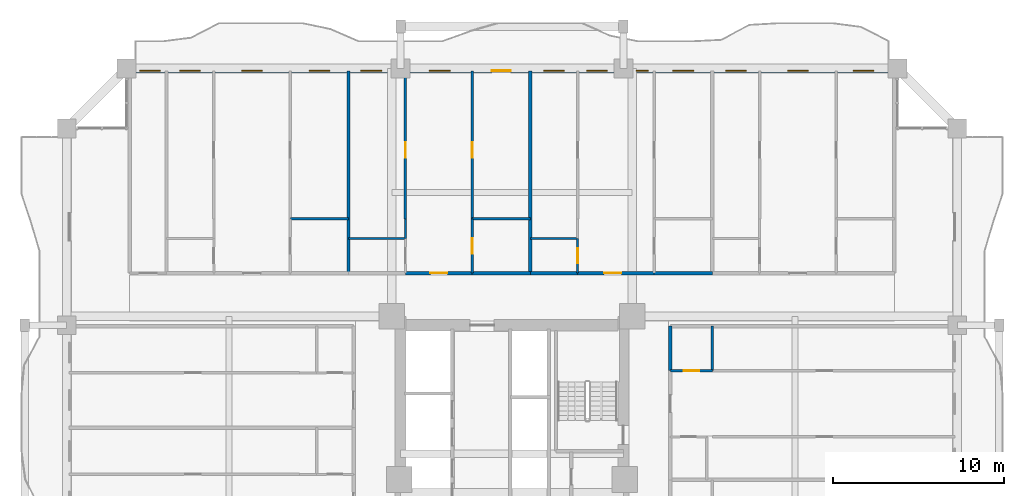
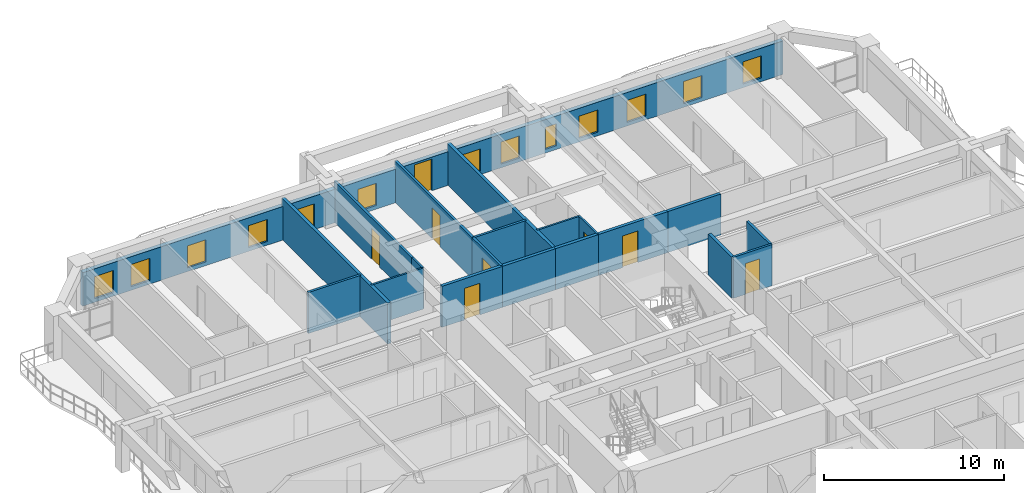
# One storey, part 19 of 27: 20 walls, 13 windows, 8 doors, 21 openings.
"""IFC4 building model written with IfcOpenShell, lengths in metres."""

from ifc_helpers import new_model, si_unit, direction, frame, frame_2d, origin, place, context, subcontext, project, spatial, rectangle, extrude, source, transform, mapped, material, layer, layer_set, type_object, element, fill, save


model = new_model("IFC4")

# Units and contexts
model_context = context("Model", 3, precision=1e-05, world=origin(), true_north=direction((0.0, 1.0)))
body_context = subcontext(model_context, "Body", "Model", "MODEL_VIEW")
ifc_project = project(units=[si_unit("LENGTHUNIT", "METRE"), si_unit("AREAUNIT", "SQUARE_METRE"), si_unit("VOLUMEUNIT", "CUBIC_METRE"), si_unit("PLANEANGLEUNIT", "RADIAN"), si_unit("MASSUNIT", "GRAM", prefix="KILO")], contexts=[model_context])

# Site, building, storey
site_placement = place(None, origin())
site = spatial("IfcSite", under=ifc_project, at=site_placement, CompositionType="ELEMENT")
building_placement = place(site_placement, origin())
building = spatial("IfcBuilding", under=site, at=building_placement, Name="Saelheon Loggia Tower", CompositionType="ELEMENT")
storey_placement = place(building_placement, frame((0.0, 0.0, 34.39990234375)))
storey = spatial("IfcBuildingStorey", under=building, at=storey_placement, Name="L10", CompositionType="ELEMENT", Elevation=34.39990234375)

# Wall, openings, windows, door
ifc_material_1 = material(Name="Architectural Precast Concrete C40/50", Category="concrete")
ifc_layer_1 = layer(ifc_material_1, 0.280029296875)
ifc_layer_set_1 = layer_set([ifc_layer_1], Name="Architectural Precast Concrete C40/50")
wall_type_1 = type_object("IfcWallType", Name="Wall_Ext_Loggia_280", PredefinedType="SOLIDWALL", material=ifc_layer_set_1)
wall_1_placement = place(storey_placement, frame((15.5, 50.860107421875, 0.0), z_axis=(0.0, 0.0, 1.0), x_axis=(1.0, 0.0, 0.0)))
wall_1 = element("IfcWall", 1, at=wall_1_placement, inside=storey, type_object=wall_type_1, Name="L10 North Loggia Inner Wall", PredefinedType="SOLIDWALL", context=body_context, shape_type="SweptSolid", body=[
    extrude(rectangle(XDim=45.0, YDim=0.280029296875, at=frame_2d((22.5, 0.0))), origin(), (0.0, 0.0, 1.0), 2.280029296875),
])
opening_1_placement = place(wall_1_placement, frame((0.760009765625, 0.0, 0.25)))
opening_1 = element("IfcOpeningElement", 2, at=opening_1_placement, cuts=wall_1, Name="Opening WN-03", PredefinedType="OPENING", context=body_context, shape_type="SweptSolid", body=[
    extrude(rectangle(XDim=1.199951171875, YDim=1.5, at=frame_2d((0.60009765625, 0.75))), frame((0.0, 0.152099609375, 0.0), z_axis=(0.0, -1.0, 0.0), x_axis=(1.0, 0.0, 0.0)), (0.0, 0.0, 1.0), 0.303955078125),
])
opening_2_placement = place(wall_1_placement, frame((3.11083984375, 0.0, 0.25)))
opening_2 = element("IfcOpeningElement", 3, at=opening_2_placement, cuts=wall_1, Name="Opening WN-03", PredefinedType="OPENING", context=body_context, shape_type="SweptSolid", body=[
    extrude(rectangle(XDim=1.199951171875, YDim=1.5, at=frame_2d((0.60009765625, 0.75))), frame((0.0, 0.152099609375, 0.0), z_axis=(0.0, -1.0, 0.0), x_axis=(1.0, 0.0, 0.0)), (0.0, 0.0, 1.0), 0.303955078125),
])
opening_3_placement = place(wall_1_placement, frame((6.72265625, 0.0, 0.25)))
opening_3 = element("IfcOpeningElement", 4, at=opening_3_placement, cuts=wall_1, Name="Opening WN-03", PredefinedType="OPENING", context=body_context, shape_type="SweptSolid", body=[
    extrude(rectangle(XDim=1.199951171875, YDim=1.5, at=frame_2d((0.60009765625, 0.75))), frame((0.0, 0.152099609375, 0.0), z_axis=(0.0, -1.0, 0.0), x_axis=(1.0, 0.0, 0.0)), (0.0, 0.0, 1.0), 0.303955078125),
])
opening_4_placement = place(wall_1_placement, frame((10.65283203125, 0.0, 0.25)))
opening_4 = element("IfcOpeningElement", 5, at=opening_4_placement, cuts=wall_1, Name="Opening WN-03", PredefinedType="OPENING", context=body_context, shape_type="SweptSolid", body=[
    extrude(rectangle(XDim=1.199951171875, YDim=1.5, at=frame_2d((0.60009765625, 0.75))), frame((0.0, 0.152099609375, 0.0), z_axis=(0.0, -1.0, 0.0), x_axis=(1.0, 0.0, 0.0)), (0.0, 0.0, 1.0), 0.303955078125),
])
opening_5_placement = place(wall_1_placement, frame((13.681396484375, 0.0, 0.25)))
opening_5 = element("IfcOpeningElement", 6, at=opening_5_placement, cuts=wall_1, Name="Opening WN-03", PredefinedType="OPENING", context=body_context, shape_type="SweptSolid", body=[
    extrude(rectangle(XDim=1.199951171875, YDim=1.5, at=frame_2d((0.60009765625, 0.75))), frame((0.0, 0.152099609375, 0.0), z_axis=(0.0, -1.0, 0.0), x_axis=(1.0, 0.0, 0.0)), (0.0, 0.0, 1.0), 0.303955078125),
])
opening_6_placement = place(wall_1_placement, frame((17.682861328125, 0.0, 0.25)))
opening_6 = element("IfcOpeningElement", 7, at=opening_6_placement, cuts=wall_1, Name="Opening WN-03", PredefinedType="OPENING", context=body_context, shape_type="SweptSolid", body=[
    extrude(rectangle(XDim=1.199951171875, YDim=1.5, at=frame_2d((0.60009765625, 0.75))), frame((0.0, 0.152099609375, 0.0), z_axis=(0.0, -1.0, 0.0), x_axis=(1.0, 0.0, 0.0)), (0.0, 0.0, 1.0), 0.303955078125),
])
opening_7_placement = place(wall_1_placement, frame((21.325439453125, 0.0, 0.0)))
opening_7 = element("IfcOpeningElement", 8, at=opening_7_placement, cuts=wall_1, Name="Opening TD1", PredefinedType="OPENING", context=body_context, shape_type="SweptSolid", body=[
    extrude(rectangle(XDim=1.10009765625, YDim=2.14990234375, at=frame_2d((0.550048828125, 1.074951171875))), frame((0.0, 0.152099609375, 0.0), z_axis=(0.0, -1.0, 0.0), x_axis=(1.0, 0.0, 0.0)), (0.0, 0.0, 1.0), 0.303955078125),
])
opening_8_placement = place(wall_1_placement, frame((24.35595703125, 0.0, 0.25)))
opening_8 = element("IfcOpeningElement", 9, at=opening_8_placement, cuts=wall_1, Name="Opening WN-03", PredefinedType="OPENING", context=body_context, shape_type="SweptSolid", body=[
    extrude(rectangle(XDim=1.199951171875, YDim=1.5, at=frame_2d((0.60009765625, 0.75))), frame((0.0, 0.152099609375, 0.0), z_axis=(0.0, -1.0, 0.0), x_axis=(1.0, 0.0, 0.0)), (0.0, 0.0, 1.0), 0.303955078125),
])
opening_9_placement = place(wall_1_placement, frame((26.873291015625, 0.0, 0.25)))
opening_9 = element("IfcOpeningElement", 10, at=opening_9_placement, cuts=wall_1, Name="Opening WN-03", PredefinedType="OPENING", context=body_context, shape_type="SweptSolid", body=[
    extrude(rectangle(XDim=1.199951171875, YDim=1.5, at=frame_2d((0.60009765625, 0.75))), frame((0.0, 0.152099609375, 0.0), z_axis=(0.0, -1.0, 0.0), x_axis=(1.0, 0.0, 0.0)), (0.0, 0.0, 1.0), 0.303955078125),
])
opening_10_placement = place(wall_1_placement, frame((29.744140625, 0.0, 0.25)))
opening_10 = element("IfcOpeningElement", 11, at=opening_10_placement, cuts=wall_1, Name="Opening WN-06", PredefinedType="OPENING", context=body_context, shape_type="SweptSolid", body=[
    extrude(rectangle(XDim=0.699951171875, YDim=1.5, at=frame_2d((0.35009765625, 0.75))), frame((0.0, 0.152099609375, 0.0), z_axis=(0.0, -1.0, 0.0), x_axis=(1.0, 0.0, 0.0)), (0.0, 0.0, 1.0), 0.303955078125),
])
opening_11_placement = place(wall_1_placement, frame((31.89794921875, 0.0, 0.25)))
opening_11 = element("IfcOpeningElement", 12, at=opening_11_placement, cuts=wall_1, Name="Opening WN-03", PredefinedType="OPENING", context=body_context, shape_type="SweptSolid", body=[
    extrude(rectangle(XDim=1.199951171875, YDim=1.5, at=frame_2d((0.60009765625, 0.75))), frame((0.0, 0.152099609375, 0.0), z_axis=(0.0, -1.0, 0.0), x_axis=(1.0, 0.0, 0.0)), (0.0, 0.0, 1.0), 0.303955078125),
])
opening_12_placement = place(wall_1_placement, frame((34.978515625, 0.0, 0.25)))
opening_12 = element("IfcOpeningElement", 13, at=opening_12_placement, cuts=wall_1, Name="Opening WN-03", PredefinedType="OPENING", context=body_context, shape_type="SweptSolid", body=[
    extrude(rectangle(XDim=1.199951171875, YDim=1.5, at=frame_2d((0.60009765625, 0.75))), frame((0.0, 0.152099609375, 0.0), z_axis=(0.0, -1.0, 0.0), x_axis=(1.0, 0.0, 0.0)), (0.0, 0.0, 1.0), 0.303955078125),
])
opening_13_placement = place(wall_1_placement, frame((38.590087890625, 0.0, 0.25)))
opening_13 = element("IfcOpeningElement", 14, at=opening_13_placement, cuts=wall_1, Name="Opening WN-03", PredefinedType="OPENING", context=body_context, shape_type="SweptSolid", body=[
    extrude(rectangle(XDim=1.199951171875, YDim=1.5, at=frame_2d((0.60009765625, 0.75))), frame((0.0, 0.152099609375, 0.0), z_axis=(0.0, -1.0, 0.0), x_axis=(1.0, 0.0, 0.0)), (0.0, 0.0, 1.0), 0.303955078125),
])
opening_14_placement = place(wall_1_placement, frame((42.415283203125, 0.0, 0.25)))
opening_14 = element("IfcOpeningElement", 15, at=opening_14_placement, cuts=wall_1, Name="Opening WN-03", PredefinedType="OPENING", context=body_context, shape_type="SweptSolid", body=[
    extrude(rectangle(XDim=1.199951171875, YDim=1.5, at=frame_2d((0.60009765625, 0.75))), frame((0.0, 0.152099609375, 0.0), z_axis=(0.0, -1.0, 0.0), x_axis=(1.0, 0.0, 0.0)), (0.0, 0.0, 1.0), 0.303955078125),
])
ifc_material_2 = material(Name="Thermal-Break Aluminium and Triple Low-E Glass", Category="aluminium")
window_type_1 = type_object("IfcWindowType", Name="Win_Slot_700x1500", PartitioningType="SINGLE_PANEL", PredefinedType="WINDOW", material=ifc_material_2)
shared_shape_1 = source(origin(), body_context, "Body", "SweptSolid", [
    extrude(rectangle(XDim=0.699951171875, YDim=1.5, at=frame_2d((0.35009765625, 0.75))), frame((0.0, 0.030029296875, 0.0), z_axis=(0.0, -1.0, 0.0), x_axis=(1.0, 0.0, 0.0)), (0.0, 0.0, 1.0), 0.06005859375),
])
window_1_placement = place(opening_10_placement, origin())
window_1 = element("IfcWindow", 16, at=window_1_placement, inside=storey, type_object=window_type_1, Name="L10 N Dwelling Window 10", OverallHeight=1.5, OverallWidth=0.699951171875, PartitioningType="SINGLE_PANEL", PredefinedType="WINDOW", context=body_context, shape_type="MappedRepresentation", body=[
    mapped(shared_shape_1, transform((0.0, 0.0, 0.0), scale=1.0)),
])
fill(opening_10, window_1)
window_type_2 = type_object("IfcWindowType", Name="Win_Bedroom_1200x1500", PartitioningType="SINGLE_PANEL", PredefinedType="WINDOW", material=ifc_material_2)
shared_shape_2 = source(origin(), body_context, "Body", "SweptSolid", [
    extrude(rectangle(XDim=1.199951171875, YDim=1.5, at=frame_2d((0.60009765625, 0.75))), frame((0.0, 0.030029296875, 0.0), z_axis=(0.0, -1.0, 0.0), x_axis=(1.0, 0.0, 0.0)), (0.0, 0.0, 1.0), 0.06005859375),
])
window_2_placement = place(opening_1_placement, origin())
window_2 = element("IfcWindow", 17, at=window_2_placement, inside=storey, type_object=window_type_2, Name="L10 N Dwelling Window 1", OverallHeight=1.5, OverallWidth=1.199951171875, PartitioningType="SINGLE_PANEL", PredefinedType="WINDOW", context=body_context, shape_type="MappedRepresentation", body=[
    mapped(shared_shape_2, transform((0.0, 0.0, 0.0), scale=1.0)),
])
fill(opening_1, window_2)
window_3_placement = place(opening_2_placement, origin())
window_3 = element("IfcWindow", 18, at=window_3_placement, inside=storey, type_object=window_type_2, Name="L10 N Dwelling Window 2", OverallHeight=1.5, OverallWidth=1.199951171875, PartitioningType="SINGLE_PANEL", PredefinedType="WINDOW", context=body_context, shape_type="MappedRepresentation", body=[
    mapped(shared_shape_2, transform((0.0, 0.0, 0.0), scale=1.0)),
])
fill(opening_2, window_3)
window_4_placement = place(opening_3_placement, origin())
window_4 = element("IfcWindow", 19, at=window_4_placement, inside=storey, type_object=window_type_2, Name="L10 N Dwelling Window 3", OverallHeight=1.5, OverallWidth=1.199951171875, PartitioningType="SINGLE_PANEL", PredefinedType="WINDOW", context=body_context, shape_type="MappedRepresentation", body=[
    mapped(shared_shape_2, transform((0.0, 0.0, 0.0), scale=1.0)),
])
fill(opening_3, window_4)
window_5_placement = place(opening_4_placement, origin())
window_5 = element("IfcWindow", 20, at=window_5_placement, inside=storey, type_object=window_type_2, Name="L10 N Dwelling Window 4", OverallHeight=1.5, OverallWidth=1.199951171875, PartitioningType="SINGLE_PANEL", PredefinedType="WINDOW", context=body_context, shape_type="MappedRepresentation", body=[
    mapped(shared_shape_2, transform((0.0, 0.0, 0.0), scale=1.0)),
])
fill(opening_4, window_5)
window_6_placement = place(opening_5_placement, origin())
window_6 = element("IfcWindow", 21, at=window_6_placement, inside=storey, type_object=window_type_2, Name="L10 N Dwelling Window 5", OverallHeight=1.5, OverallWidth=1.199951171875, PartitioningType="SINGLE_PANEL", PredefinedType="WINDOW", context=body_context, shape_type="MappedRepresentation", body=[
    mapped(shared_shape_2, transform((0.0, 0.0, 0.0), scale=1.0)),
])
fill(opening_5, window_6)
window_7_placement = place(opening_6_placement, origin())
window_7 = element("IfcWindow", 22, at=window_7_placement, inside=storey, type_object=window_type_2, Name="L10 N Dwelling Window 6", OverallHeight=1.5, OverallWidth=1.199951171875, PartitioningType="SINGLE_PANEL", PredefinedType="WINDOW", context=body_context, shape_type="MappedRepresentation", body=[
    mapped(shared_shape_2, transform((0.0, 0.0, 0.0), scale=1.0)),
])
fill(opening_6, window_7)
window_8_placement = place(opening_8_placement, origin())
window_8 = element("IfcWindow", 23, at=window_8_placement, inside=storey, type_object=window_type_2, Name="L10 N Dwelling Window 8", OverallHeight=1.5, OverallWidth=1.199951171875, PartitioningType="SINGLE_PANEL", PredefinedType="WINDOW", context=body_context, shape_type="MappedRepresentation", body=[
    mapped(shared_shape_2, transform((0.0, 0.0, 0.0), scale=1.0)),
])
fill(opening_8, window_8)
window_9_placement = place(opening_9_placement, origin())
window_9 = element("IfcWindow", 24, at=window_9_placement, inside=storey, type_object=window_type_2, Name="L10 N Dwelling Window 9", OverallHeight=1.5, OverallWidth=1.199951171875, PartitioningType="SINGLE_PANEL", PredefinedType="WINDOW", context=body_context, shape_type="MappedRepresentation", body=[
    mapped(shared_shape_2, transform((0.0, 0.0, 0.0), scale=1.0)),
])
fill(opening_9, window_9)
window_10_placement = place(opening_11_placement, origin())
window_10 = element("IfcWindow", 25, at=window_10_placement, inside=storey, type_object=window_type_2, Name="L10 N Dwelling Window 11", OverallHeight=1.5, OverallWidth=1.199951171875, PartitioningType="SINGLE_PANEL", PredefinedType="WINDOW", context=body_context, shape_type="MappedRepresentation", body=[
    mapped(shared_shape_2, transform((0.0, 0.0, 0.0), scale=1.0)),
])
fill(opening_11, window_10)
window_11_placement = place(opening_12_placement, origin())
window_11 = element("IfcWindow", 26, at=window_11_placement, inside=storey, type_object=window_type_2, Name="L10 N Dwelling Window 12", OverallHeight=1.5, OverallWidth=1.199951171875, PartitioningType="SINGLE_PANEL", PredefinedType="WINDOW", context=body_context, shape_type="MappedRepresentation", body=[
    mapped(shared_shape_2, transform((0.0, 0.0, 0.0), scale=1.0)),
])
fill(opening_12, window_11)
window_12_placement = place(opening_13_placement, origin())
window_12 = element("IfcWindow", 27, at=window_12_placement, inside=storey, type_object=window_type_2, Name="L10 N Dwelling Window 13", OverallHeight=1.5, OverallWidth=1.199951171875, PartitioningType="SINGLE_PANEL", PredefinedType="WINDOW", context=body_context, shape_type="MappedRepresentation", body=[
    mapped(shared_shape_2, transform((0.0, 0.0, 0.0), scale=1.0)),
])
fill(opening_13, window_12)
window_13_placement = place(opening_14_placement, origin())
window_13 = element("IfcWindow", 28, at=window_13_placement, inside=storey, type_object=window_type_2, Name="L10 N Dwelling Window 14", OverallHeight=1.5, OverallWidth=1.199951171875, PartitioningType="SINGLE_PANEL", PredefinedType="WINDOW", context=body_context, shape_type="MappedRepresentation", body=[
    mapped(shared_shape_2, transform((0.0, 0.0, 0.0), scale=1.0)),
])
fill(opening_14, window_13)
ifc_material_3 = material(Name="Thermal-Break Aluminium Glazed Door", Category="aluminium")
door_type_1 = type_object("IfcDoorType", Name="Door_Terrace_TD1", OperationType="NOTDEFINED", PredefinedType="DOOR", material=ifc_material_3)
shared_shape_3 = source(origin(), body_context, "Body", "SweptSolid", [
    extrude(rectangle(XDim=1.10009765625, YDim=2.14990234375, at=frame_2d((0.550048828125, 1.074951171875))), frame((0.0, 0.02490234375, 0.0), z_axis=(0.0, -1.0, 0.0), x_axis=(1.0, 0.0, 0.0)), (0.0, 0.0, 1.0), 0.050048828125),
])
door_1_placement = place(opening_7_placement, origin())
door_1 = element("IfcDoor", 29, at=door_1_placement, inside=storey, type_object=door_type_1, Name="L10 N Loggia Access Door", OperationType="SINGLE_SWING_LEFT", OverallHeight=2.14990234375, OverallWidth=1.10009765625, PredefinedType="DOOR", context=body_context, shape_type="MappedRepresentation", body=[
    mapped(shared_shape_3, transform((0.0, 0.0, 0.0), scale=1.0)),
])
fill(opening_7, door_1)

# Walls
ifc_material_4 = material(Name="Lightweight Autoclaved Aerated Concrete Block and Acoustic Gypsum", Category="concrete")
ifc_layer_2 = layer(ifc_material_4, 0.14990234375)
ifc_layer_set_2 = layer_set([ifc_layer_2], Name="Lightweight Autoclaved Aerated Concrete Block and Acoustic Gypsum")
wall_type_2 = type_object("IfcWallType", Name="Wall_Part_150", PredefinedType="PARTITIONING", material=ifc_layer_set_2)
for number, where, z_axis, x_axis, name in (
    (30, (25.05322265625, 42.219970703125, 0.0), (0.0, 0.0, 1.0), (1.0, 0.0, 0.0), "L10 N Partition V09"),
    (31, (35.67578125, 42.219970703125, 0.0), (0.0, 0.0, 1.0), (1.0, 0.0, 0.0), "L10 N Partition V20"),
):
    element("IfcWall", number, at=place(storey_placement, frame(where, z_axis=z_axis, x_axis=x_axis)), inside=storey, type_object=wall_type_2, Name=name, PredefinedType="PARTITIONING", context=body_context, shape_type="SweptSolid", body=[
        extrude(rectangle(XDim=3.399169921875, YDim=0.14990234375, at=frame_2d((1.69970703125, 0.0))), origin(), (0.0, 0.0, 1.0), 2.7900390625),
    ])

# Wall, opening, door
wall_2_placement = place(storey_placement, frame((31.780029296875, 42.219970703125, 0.0), z_axis=(0.0, 0.0, 1.0), x_axis=(0.0, 1.0, 0.0)))
wall_2 = element("IfcWall", 32, at=wall_2_placement, inside=storey, type_object=wall_type_2, Name="L10 N Partition U23", PredefinedType="PARTITIONING", context=body_context, shape_type="SweptSolid", body=[
    extrude(rectangle(XDim=8.630126953125, YDim=0.14990234375, at=frame_2d((4.31494140625, 0.0))), origin(), (0.0, 0.0, 1.0), 2.7900390625),
])
opening_15_placement = place(wall_2_placement, frame((3.56298828125, 0.0, 0.0)))
opening_15 = element("IfcOpeningElement", 33, at=opening_15_placement, cuts=wall_2, Name="Opening D-IN2", PredefinedType="OPENING", context=body_context, shape_type="SweptSolid", body=[
    extrude(rectangle(XDim=0.89990234375, YDim=2.10009765625, at=frame_2d((0.449951171875, 1.050048828125))), frame((0.0, 0.0869140625, 0.0), z_axis=(0.0, -1.0, 0.0), x_axis=(1.0, 0.0, 0.0)), (0.0, 0.0, 1.0), 0.173828125),
])
ifc_material_5 = material(Name="Engineered Oak Flush Door", Category="timber")
door_type_2 = type_object("IfcDoorType", Name="Door_Int_900", OperationType="NOTDEFINED", PredefinedType="DOOR", material=ifc_material_5)
shared_shape_4 = source(origin(), body_context, "Body", "SweptSolid", [
    extrude(rectangle(XDim=0.89990234375, YDim=2.10009765625, at=frame_2d((0.449951171875, 1.050048828125))), frame((0.0, 0.02490234375, 0.0), z_axis=(0.0, -1.0, 0.0), x_axis=(1.0, 0.0, 0.0)), (0.0, 0.0, 1.0), 0.050048828125),
])
door_2_placement = place(opening_15_placement, origin())
door_2 = element("IfcDoor", 34, at=door_2_placement, inside=storey, type_object=door_type_2, Name="Unit U06 Bedroom 2 Door", OperationType="SINGLE_SWING_RIGHT", OverallHeight=2.10009765625, OverallWidth=0.89990234375, PredefinedType="DOOR", context=body_context, shape_type="MappedRepresentation", body=[
    mapped(shared_shape_4, transform((0.0, 0.0, 0.0), scale=1.0)),
])
fill(opening_15, door_2)

wall_3_placement = place(storey_placement, frame((35.67578125, 39.050048828125, 0.0), z_axis=(0.0, 0.0, 1.0), x_axis=(0.0, 1.0, 0.0)))
wall_3 = element("IfcWall", 35, at=wall_3_placement, inside=storey, type_object=wall_type_2, Name="L10 N Partition U24", PredefinedType="PARTITIONING", context=body_context, shape_type="SweptSolid", body=[
    extrude(rectangle(XDim=3.169921875, YDim=0.14990234375, at=frame_2d((1.5849609375, 0.0))), origin(), (0.0, 0.0, 1.0), 2.7900390625),
])
opening_16_placement = place(wall_3_placement, frame((1.135009765625, 0.0, 0.0)))
opening_16 = element("IfcOpeningElement", 36, at=opening_16_placement, cuts=wall_3, Name="Opening D-IN2", PredefinedType="OPENING", context=body_context, shape_type="SweptSolid", body=[
    extrude(rectangle(XDim=0.89990234375, YDim=2.10009765625, at=frame_2d((0.449951171875, 1.050048828125))), frame((0.0, 0.0869140625, 0.0), z_axis=(0.0, -1.0, 0.0), x_axis=(1.0, 0.0, 0.0)), (0.0, 0.0, 1.0), 0.173828125),
])
door_3_placement = place(opening_16_placement, origin())
door_3 = element("IfcDoor", 37, at=door_3_placement, inside=storey, type_object=door_type_2, Name="Unit U06 Kitchen Door", OperationType="SINGLE_SWING_LEFT", OverallHeight=2.10009765625, OverallWidth=0.89990234375, PredefinedType="DOOR", context=body_context, shape_type="MappedRepresentation", body=[
    mapped(shared_shape_4, transform((0.0, 0.0, 0.0), scale=1.0)),
])
fill(opening_16, door_3)

wall_4_placement = place(storey_placement, frame((35.67578125, 42.219970703125, 0.0), z_axis=(0.0, 0.0, 1.0), x_axis=(0.0, 1.0, 0.0)))
wall_4 = element("IfcWall", 38, at=wall_4_placement, inside=storey, type_object=wall_type_2, Name="L10 N Partition U25", PredefinedType="PARTITIONING", context=body_context, shape_type="SweptSolid", body=[
    extrude(rectangle(XDim=8.630126953125, YDim=0.14990234375, at=frame_2d((4.31494140625, 0.0))), origin(), (0.0, 0.0, 1.0), 2.7900390625),
])
opening_17_placement = place(wall_4_placement, frame((3.56298828125, 0.0, 0.0)))
opening_17 = element("IfcOpeningElement", 39, at=opening_17_placement, cuts=wall_4, Name="Opening D-IN2", PredefinedType="OPENING", context=body_context, shape_type="SweptSolid", body=[
    extrude(rectangle(XDim=0.89990234375, YDim=2.10009765625, at=frame_2d((0.449951171875, 1.050048828125))), frame((0.0, 0.0869140625, 0.0), z_axis=(0.0, -1.0, 0.0), x_axis=(1.0, 0.0, 0.0)), (0.0, 0.0, 1.0), 0.173828125),
])
door_4_placement = place(opening_17_placement, origin())
door_4 = element("IfcDoor", 40, at=door_4_placement, inside=storey, type_object=door_type_2, Name="Unit U06 Bedroom 1 Door", OperationType="SINGLE_SWING_RIGHT", OverallHeight=2.10009765625, OverallWidth=0.89990234375, PredefinedType="DOOR", context=body_context, shape_type="MappedRepresentation", body=[
    mapped(shared_shape_4, transform((0.0, 0.0, 0.0), scale=1.0)),
])
fill(opening_17, door_4)

# Wall
wall_5_placement = place(storey_placement, frame((49.699951171875, 33.35009765625, 0.0), z_axis=(0.0, 0.0, 1.0), x_axis=(0.0, 1.0, 0.0)))
element("IfcWall", 41, at=wall_5_placement, inside=storey, type_object=wall_type_2, Name="L10 E Partition V17", PredefinedType="PARTITIONING", context=body_context, shape_type="SweptSolid", body=[
    extrude(rectangle(XDim=2.599853515625, YDim=0.14990234375, at=frame_2d((1.2998046875, 0.0))), origin(), (0.0, 0.0, 1.0), 2.7900390625),
])

# Wall, opening, door
wall_6_placement = place(storey_placement, frame((47.25, 33.35009765625, 0.0), z_axis=(0.0, 0.0, 1.0), x_axis=(1.0, 0.0, 0.0)))
wall_6 = element("IfcWall", 42, at=wall_6_placement, inside=storey, type_object=wall_type_2, Name="L10 E Partition U20", PredefinedType="PARTITIONING", context=body_context, shape_type="SweptSolid", body=[
    extrude(rectangle(XDim=2.449951171875, YDim=0.14990234375, at=frame_2d((1.22509765625, 0.0))), origin(), (0.0, 0.0, 1.0), 2.7900390625),
])
opening_18_placement = place(wall_6_placement, frame((0.77490234375, 0.0, 0.0)))
opening_18 = element("IfcOpeningElement", 43, at=opening_18_placement, cuts=wall_6, Name="Opening D-IN2", PredefinedType="OPENING", context=body_context, shape_type="SweptSolid", body=[
    extrude(rectangle(XDim=0.89990234375, YDim=2.10009765625, at=frame_2d((0.449951171875, 1.050048828125))), frame((0.0, 0.0869140625, 0.0), z_axis=(0.0, -1.0, 0.0), x_axis=(1.0, 0.0, 0.0)), (0.0, 0.0, 1.0), 0.173828125),
])
door_5_placement = place(opening_18_placement, origin())
door_5 = element("IfcDoor", 44, at=door_5_placement, inside=storey, type_object=door_type_2, Name="Unit U13 Dressing Closet Door", OperationType="SINGLE_SWING_RIGHT", OverallHeight=2.10009765625, OverallWidth=0.89990234375, PredefinedType="DOOR", context=body_context, shape_type="MappedRepresentation", body=[
    mapped(shared_shape_4, transform((0.0, 0.0, 0.0), scale=1.0)),
])
fill(opening_18, door_5)

# Wall
ifc_material_6 = material(Name="Double Acoustic Stud and Fireboard Partition", Category="gypsum")
ifc_layer_3 = layer(ifc_material_6, 0.199951171875)
ifc_layer_set_3 = layer_set([ifc_layer_3], Name="Double Acoustic Stud and Fireboard Partition")
wall_type_3 = type_object("IfcWallType", Name="Wall_Party_200", PredefinedType="PARTITIONING", material=ifc_layer_set_3)
wall_7_placement = place(storey_placement, frame((28.452392578125, 39.050048828125, 0.0), z_axis=(0.0, 0.0, 1.0), x_axis=(0.0, 1.0, 0.0)))
element("IfcWall", 45, at=wall_7_placement, inside=storey, type_object=wall_type_3, Name="L10 N Partition U15", PredefinedType="PARTITIONING", context=body_context, shape_type="SweptSolid", body=[
    extrude(rectangle(XDim=11.800048828125, YDim=0.199951171875, at=frame_2d((5.89990234375, 0.0))), origin(), (0.0, 0.0, 1.0), 2.7900390625),
])

# Wall, opening, door
wall_8_placement = place(storey_placement, frame((31.780029296875, 39.050048828125, 0.0), z_axis=(0.0, 0.0, 1.0), x_axis=(1.0, 0.0, 0.0)))
wall_8 = element("IfcWall", 46, at=wall_8_placement, inside=storey, type_object=wall_type_3, Name="L10 N Partition V17", PredefinedType="PARTITIONING", context=body_context, shape_type="SweptSolid", body=[
    extrude(rectangle(XDim=3.895751953125, YDim=0.199951171875, at=frame_2d((1.94775390625, 0.0))), origin(), (0.0, 0.0, 1.0), 2.7900390625),
])
opening_19_placement = place(wall_8_placement, frame((1.447998046875, 0.0, 0.0)))
opening_19 = element("IfcOpeningElement", 47, at=opening_19_placement, cuts=wall_8, Name="Opening D-FD1", PredefinedType="OPENING", context=body_context, shape_type="SweptSolid", body=[
    extrude(rectangle(XDim=1.0, YDim=2.14990234375, at=frame_2d((0.5, 1.074951171875))), frame((0.0, 0.112060546875, 0.0), z_axis=(0.0, -1.0, 0.0), x_axis=(1.0, 0.0, 0.0)), (0.0, 0.0, 1.0), 0.223876953125),
])
ifc_material_7 = material(Name="Fire-Rated Engineered Timber Entrance Door", Category="wood")
door_type_3 = type_object("IfcDoorType", Name="Door_Flat_FD30S", OperationType="NOTDEFINED", PredefinedType="DOOR", material=ifc_material_7)
shared_shape_5 = source(origin(), body_context, "Body", "SweptSolid", [
    extrude(rectangle(XDim=1.0, YDim=2.14990234375, at=frame_2d((0.5, 1.074951171875))), frame((0.0, 0.02490234375, 0.0), z_axis=(0.0, -1.0, 0.0), x_axis=(1.0, 0.0, 0.0)), (0.0, 0.0, 1.0), 0.050048828125),
])
door_6_placement = place(opening_19_placement, origin())
door_6 = element("IfcDoor", 48, at=door_6_placement, inside=storey, type_object=door_type_3, Name="Unit U06 Entrance Door", OperationType="SINGLE_SWING_RIGHT", OverallHeight=2.14990234375, OverallWidth=1.0, PredefinedType="DOOR", context=body_context, shape_type="MappedRepresentation", body=[
    mapped(shared_shape_5, transform((0.0, 0.0, 0.0), scale=1.0)),
])
fill(opening_19, door_6)

# Walls
wall_9_placement = place(storey_placement, frame((35.67578125, 39.050048828125, 0.0), z_axis=(0.0, 0.0, 1.0), x_axis=(1.0, 0.0, 0.0)))
element("IfcWall", 49, at=wall_9_placement, inside=storey, type_object=wall_type_3, Name="L10 N Partition V18", PredefinedType="PARTITIONING", context=body_context, shape_type="SweptSolid", body=[
    extrude(rectangle(XDim=3.399169921875, YDim=0.199951171875, at=frame_2d((1.69970703125, 0.0))), origin(), (0.0, 0.0, 1.0), 2.7900390625),
])
wall_10_placement = place(storey_placement, frame((39.074951171875, 39.050048828125, 0.0), z_axis=(0.0, 0.0, 1.0), x_axis=(0.0, 1.0, 0.0)))
element("IfcWall", 50, at=wall_10_placement, inside=storey, type_object=wall_type_3, Name="L10 N Partition U26", PredefinedType="PARTITIONING", context=body_context, shape_type="SweptSolid", body=[
    extrude(rectangle(XDim=11.800048828125, YDim=0.199951171875, at=frame_2d((5.89990234375, 0.0))), origin(), (0.0, 0.0, 1.0), 2.7900390625),
])
wall_11_placement = place(storey_placement, frame((39.074951171875, 39.050048828125, 0.0), z_axis=(0.0, 0.0, 1.0), x_axis=(1.0, 0.0, 0.0)))
element("IfcWall", 51, at=wall_11_placement, inside=storey, type_object=wall_type_3, Name="L10 N Partition V27", PredefinedType="PARTITIONING", context=body_context, shape_type="SweptSolid", body=[
    extrude(rectangle(XDim=2.761962890625, YDim=0.199951171875, at=frame_2d((1.380859375, 0.0))), origin(), (0.0, 0.0, 1.0), 2.7900390625),
])

# Wall, opening, door
wall_12_placement = place(storey_placement, frame((41.8369140625, 39.050048828125, 0.0), z_axis=(0.0, 0.0, 1.0), x_axis=(1.0, 0.0, 0.0)))
wall_12 = element("IfcWall", 52, at=wall_12_placement, inside=storey, type_object=wall_type_3, Name="L10 N Partition V28", PredefinedType="PARTITIONING", context=body_context, shape_type="SweptSolid", body=[
    extrude(rectangle(XDim=4.46142578125, YDim=0.199951171875, at=frame_2d((2.230712890625, 0.0))), origin(), (0.0, 0.0, 1.0), 2.7900390625),
])
opening_20_placement = place(wall_12_placement, frame((1.546875, 0.0, 0.0)))
opening_20 = element("IfcOpeningElement", 53, at=opening_20_placement, cuts=wall_12, Name="Opening D-FD1", PredefinedType="OPENING", context=body_context, shape_type="SweptSolid", body=[
    extrude(rectangle(XDim=1.0, YDim=2.14990234375, at=frame_2d((0.5, 1.074951171875))), frame((0.0, 0.112060546875, 0.0), z_axis=(0.0, -1.0, 0.0), x_axis=(1.0, 0.0, 0.0)), (0.0, 0.0, 1.0), 0.223876953125),
])
door_7_placement = place(opening_20_placement, origin())
door_7 = element("IfcDoor", 54, at=door_7_placement, inside=storey, type_object=door_type_3, Name="Unit U07 Entrance Door", OperationType="SINGLE_SWING_LEFT", OverallHeight=2.14990234375, OverallWidth=1.0, PredefinedType="DOOR", context=body_context, shape_type="MappedRepresentation", body=[
    mapped(shared_shape_5, transform((0.0, 0.0, 0.0), scale=1.0)),
])
fill(opening_20, door_7)

# Walls
wall_13_placement = place(storey_placement, frame((46.29833984375, 39.050048828125, 0.0), z_axis=(0.0, 0.0, 1.0), x_axis=(1.0, 0.0, 0.0)))
element("IfcWall", 55, at=wall_13_placement, inside=storey, type_object=wall_type_3, Name="L10 N Partition V29", PredefinedType="PARTITIONING", context=body_context, shape_type="SweptSolid", body=[
    extrude(rectangle(XDim=3.399169921875, YDim=0.199951171875, at=frame_2d((1.69970703125, 0.0))), origin(), (0.0, 0.0, 1.0), 2.7900390625),
])
wall_14_placement = place(storey_placement, frame((47.25, 33.35009765625, 0.0), z_axis=(0.0, 0.0, 1.0), x_axis=(0.0, 1.0, 0.0)))
element("IfcWall", 56, at=wall_14_placement, inside=storey, type_object=wall_type_3, Name="L10 E Partition V15", PredefinedType="PARTITIONING", context=body_context, shape_type="SweptSolid", body=[
    extrude(rectangle(XDim=2.599853515625, YDim=0.199951171875, at=frame_2d((1.2998046875, 0.0))), origin(), (0.0, 0.0, 1.0), 2.7900390625),
])
ifc_material_8 = material(Name="Moisture-Resistant Cement Board Partition", Category="gypsum")
ifc_layer_4 = layer(ifc_material_8, 0.1201171875)
ifc_layer_set_4 = layer_set([ifc_layer_4], Name="Moisture-Resistant Cement Board Partition")
wall_type_4 = type_object("IfcWallType", Name="Wall_WetPart_120", PredefinedType="PARTITIONING", material=ifc_layer_set_4)
wall_15_placement = place(storey_placement, frame((28.452392578125, 41.070068359375, 0.0), z_axis=(0.0, 0.0, 1.0), x_axis=(1.0, 0.0, 0.0)))
element("IfcWall", 57, at=wall_15_placement, inside=storey, type_object=wall_type_4, Name="L10 N Partition V19", PredefinedType="PARTITIONING", context=body_context, shape_type="SweptSolid", body=[
    extrude(rectangle(XDim=3.32763671875, YDim=0.1201171875, at=frame_2d((1.663818359375, 0.0))), origin(), (0.0, 0.0, 1.0), 2.7900390625),
])
wall_16_placement = place(storey_placement, frame((31.780029296875, 41.070068359375, 0.0), z_axis=(0.0, 0.0, 1.0), x_axis=(0.0, 1.0, 0.0)))
element("IfcWall", 58, at=wall_16_placement, inside=storey, type_object=wall_type_4, Name="L10 N Partition U22", PredefinedType="PARTITIONING", context=body_context, shape_type="SweptSolid", body=[
    extrude(rectangle(XDim=1.14990234375, YDim=0.1201171875, at=frame_2d((0.574951171875, 0.0))), origin(), (0.0, 0.0, 1.0), 2.7900390625),
])
wall_17_placement = place(storey_placement, frame((39.074951171875, 41.070068359375, 0.0), z_axis=(0.0, 0.0, 1.0), x_axis=(1.0, 0.0, 0.0)))
element("IfcWall", 59, at=wall_17_placement, inside=storey, type_object=wall_type_4, Name="L10 N Partition V30", PredefinedType="PARTITIONING", context=body_context, shape_type="SweptSolid", body=[
    extrude(rectangle(XDim=2.761962890625, YDim=0.1201171875, at=frame_2d((1.380859375, 0.0))), origin(), (0.0, 0.0, 1.0), 2.7900390625),
])

# Wall, opening, door
wall_18_placement = place(storey_placement, frame((41.8369140625, 39.050048828125, 0.0), z_axis=(0.0, 0.0, 1.0), x_axis=(0.0, 1.0, 0.0)))
wall_18 = element("IfcWall", 60, at=wall_18_placement, inside=storey, type_object=wall_type_4, Name="L10 N Partition U32", PredefinedType="PARTITIONING", context=body_context, shape_type="SweptSolid", body=[
    extrude(rectangle(XDim=2.02001953125, YDim=0.1201171875, at=frame_2d((1.010009765625, 0.0))), origin(), (0.0, 0.0, 1.0), 2.7900390625),
])
opening_21_placement = place(wall_18_placement, frame((0.5849609375, 0.0, 0.0)))
opening_21 = element("IfcOpeningElement", 61, at=opening_21_placement, cuts=wall_18, Name="Opening D-BT1", PredefinedType="OPENING", context=body_context, shape_type="SweptSolid", body=[
    extrude(rectangle(XDim=0.85009765625, YDim=2.050048828125, at=frame_2d((0.425048828125, 1.02490234375))), frame((0.0, 0.072021484375, 0.0), z_axis=(0.0, -1.0, 0.0), x_axis=(1.0, 0.0, 0.0)), (0.0, 0.0, 1.0), 0.14404296875),
])
ifc_material_9 = material(Name="Moisture-Resistant Laminate Timber Door", Category="wood")
door_type_4 = type_object("IfcDoorType", Name="Door_Bath_850", OperationType="NOTDEFINED", PredefinedType="DOOR", material=ifc_material_9)
shared_shape_6 = source(origin(), body_context, "Body", "SweptSolid", [
    extrude(rectangle(XDim=0.85009765625, YDim=2.050048828125, at=frame_2d((0.425048828125, 1.02490234375))), frame((0.0, 0.02490234375, 0.0), z_axis=(0.0, -1.0, 0.0), x_axis=(1.0, 0.0, 0.0)), (0.0, 0.0, 1.0), 0.050048828125),
])
door_8_placement = place(opening_21_placement, origin())
door_8 = element("IfcDoor", 62, at=door_8_placement, inside=storey, type_object=door_type_4, Name="Unit U07 Bathroom Door", OperationType="SINGLE_SWING_RIGHT", OverallHeight=2.050048828125, OverallWidth=0.85009765625, PredefinedType="DOOR", context=body_context, shape_type="MappedRepresentation", body=[
    mapped(shared_shape_6, transform((0.0, 0.0, 0.0), scale=1.0)),
])
fill(opening_21, door_8)

save(model, "model.ifc")
